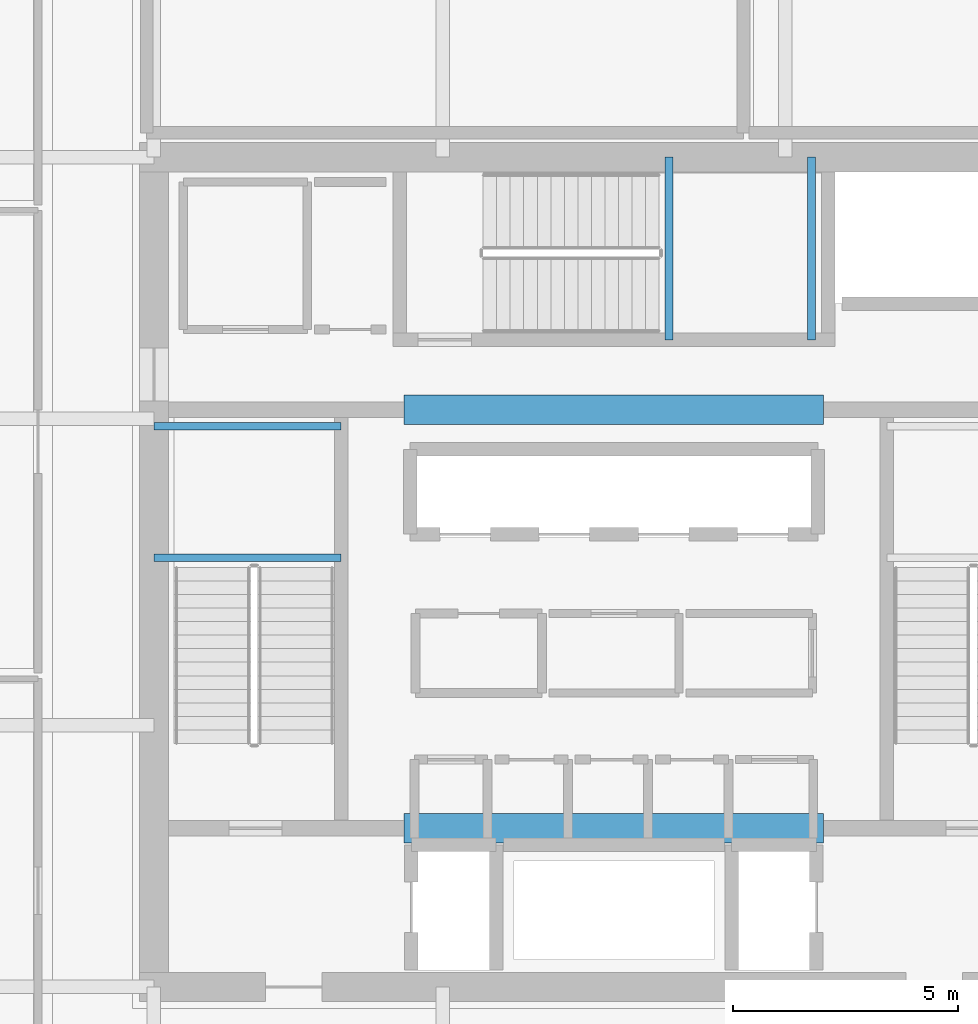
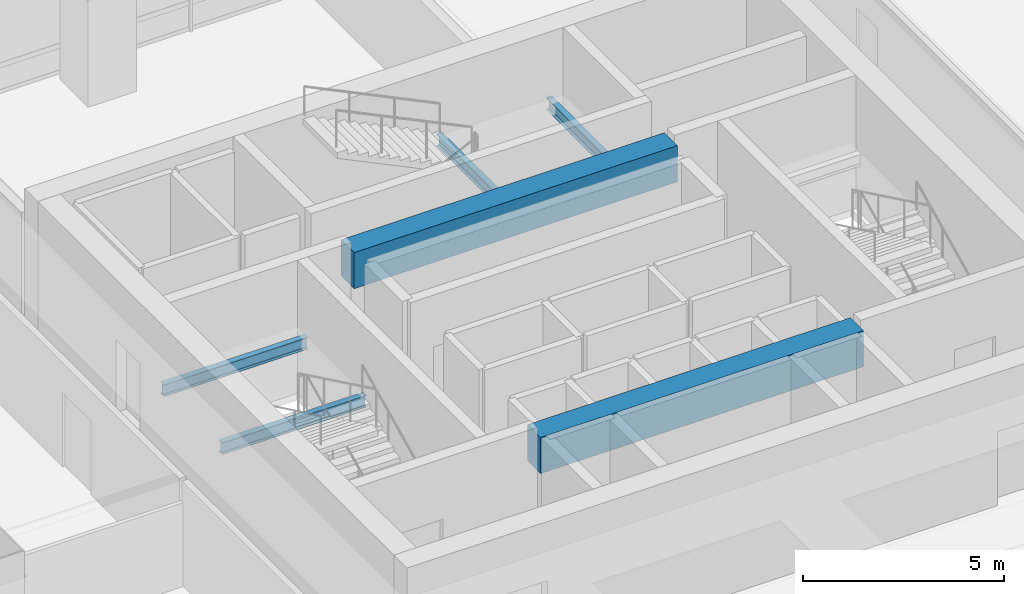
# One storey, part 12 of 36: 6 beams.
"""IFC4 building model written with IfcOpenShell, lengths in metres."""

from ifc_helpers import new_model, si_unit, direction, frame, origin, origin_2d, place, context, subcontext, project, spatial, rectangle, i_section, extrude, material, material_profile, profile_set, type_object, element, save


model = new_model("IFC4")

# Units and contexts
model_context = context("Model", 3, precision=1e-05, world=origin(), true_north=direction((0.0, 1.0)))
body_context = subcontext(model_context, "Body", "Model", "MODEL_VIEW")
ifc_project = project(units=[si_unit("LENGTHUNIT", "METRE"), si_unit("AREAUNIT", "SQUARE_METRE"), si_unit("VOLUMEUNIT", "CUBIC_METRE"), si_unit("PLANEANGLEUNIT", "RADIAN"), si_unit("MASSUNIT", "GRAM", prefix="KILO")], contexts=[model_context])

# Site, building, storey
site_placement = place(None, origin())
site = spatial("IfcSite", under=ifc_project, at=site_placement, CompositionType="ELEMENT")
building_placement = place(site_placement, origin())
building = spatial("IfcBuilding", under=site, at=building_placement, Name="Punatoya Terracotta Tower", CompositionType="ELEMENT")
storey_placement = place(building_placement, frame((0.0, 0.0, 196.5)))
storey = spatial("IfcBuildingStorey", under=building, at=storey_placement, Name="L46", CompositionType="ELEMENT", Elevation=196.5)

# Beams
ifc_material_1 = material(Name="Concrete C60/75", Category="concrete")
ifc_material_profile_1 = material_profile(ifc_material_1, rectangle(XDim=0.64990234375, YDim=1.10009765625, at=origin_2d()))
ifc_profile_set_1 = profile_set([ifc_material_profile_1], Name="Concrete C60/75")
beam_type_1 = type_object("IfcBeamType", Name="BM-RC-1100", PredefinedType="LINTEL", material=ifc_profile_set_1)
for number, where, z_axis, x_axis, name in (
    (1, (-4.64990234375, -5.679931640625, 3.280029296875), (1.0, 0.0, 0.0), (0.0, 1.0, 0.0), "L46 Core Coupling Lintel CSW"),
    (2, (-4.64990234375, 3.60009765625, 3.280029296875), (1.0, 0.0, 0.0), (0.0, 1.0, 0.0), "L46 Core Coupling Lintel CNW"),
):
    element("IfcBeam", number, at=place(storey_placement, frame(where, z_axis=z_axis, x_axis=x_axis)), inside=storey, type_object=beam_type_1, Name=name, PredefinedType="LINTEL", context=body_context, shape_type="SweptSolid", body=[
        extrude(rectangle(XDim=0.64990234375, YDim=1.10009765625, at=origin_2d()), origin(), (0.0, 0.0, 1.0), 9.2998046875),
    ])
ifc_material_2 = material(Name="Steel S355", Category="steel")
ifc_material_profile_2 = material_profile(ifc_material_2, i_section(OverallWidth=0.169921875, OverallDepth=0.360107421875, WebThickness=0.008056640625, FlangeThickness=0.0126953125, FilletRadius=0.01806640625, at=origin_2d()))
ifc_profile_set_2 = profile_set([ifc_material_profile_2], Name="Steel S355")
beam_type_2 = type_object("IfcBeamType", Name="BM-SEC-360", PredefinedType="JOIST", material=ifc_profile_set_2)
for number, where, z_axis, x_axis, name in (
    (3, (-10.199951171875, 0.320068359375, 1.64501953125), (1.0, 0.0, 0.0), (0.0, 1.0, 0.0), "BM-L46-ST-1-LD1A"),
    (4, (-10.199951171875, 3.22998046875, 1.64501953125), (1.0, 0.0, 0.0), (0.0, 1.0, 0.0), "BM-L46-ST-1-LD1B"),
):
    element("IfcBeam", number, at=place(storey_placement, frame(where, z_axis=z_axis, x_axis=x_axis)), inside=storey, type_object=beam_type_2, Name=name, PredefinedType="JOIST", context=body_context, shape_type="SweptSolid", body=[
        extrude(i_section(OverallWidth=0.169921875, OverallDepth=0.360107421875, WebThickness=0.008056640625, FlangeThickness=0.0126953125, FilletRadius=0.01806640625, at=origin_2d()), origin(), (0.0, 0.0, 1.0), 4.14990234375),
    ])
for number, where, z_axis, x_axis, name in (
    (5, (1.219970703125, 5.14990234375, 1.64501953125), (0.0, 1.0, 0.0), (-1.0, 0.0, 0.0), "BM-L46-ST-3-LD1A"),
    (6, (4.3798828125, 5.14990234375, 1.64501953125), (0.0, 1.0, 0.0), (-1.0, 0.0, 0.0), "BM-L46-ST-3-LD1B"),
):
    element("IfcBeam", number, at=place(storey_placement, frame(where, z_axis=z_axis, x_axis=x_axis)), inside=storey, type_object=beam_type_2, Name=name, PredefinedType="JOIST", context=body_context, shape_type="SweptSolid", body=[
        extrude(i_section(OverallWidth=0.169921875, OverallDepth=0.360107421875, WebThickness=0.008056640625, FlangeThickness=0.0126953125, FilletRadius=0.01806640625, at=origin_2d()), origin(), (0.0, 0.0, 1.0), 4.050048828125),
    ])

save(model, "model.ifc")
